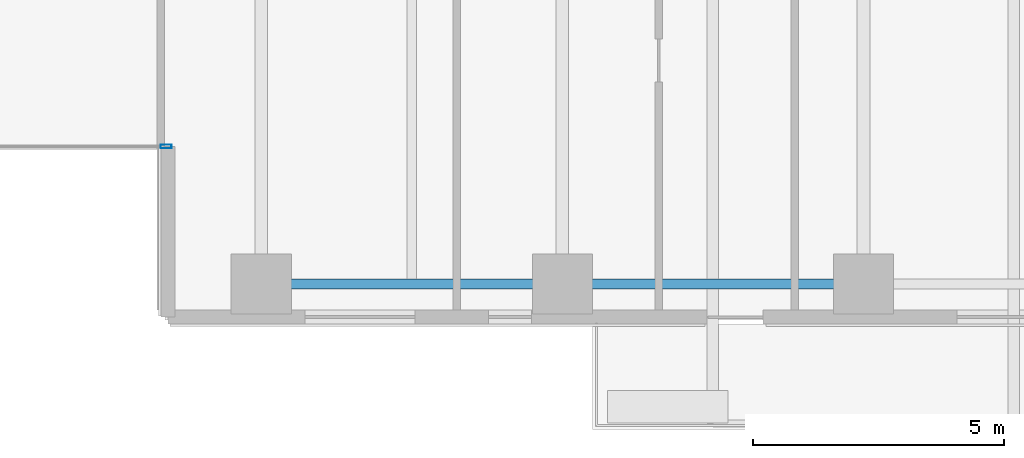
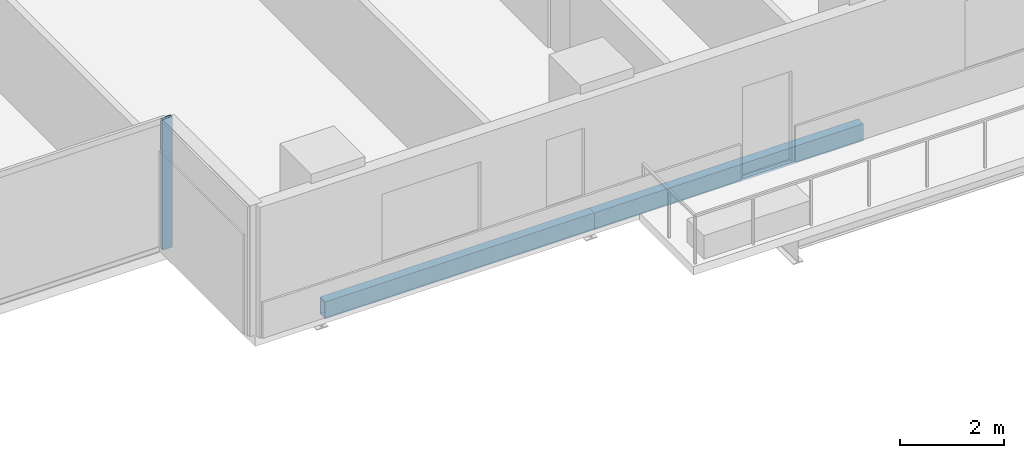
# One storey, part 4 of 26: 2 beams, 1 member, 1 element without a shape of its own.
"""IFC4 building model written with IfcOpenShell, lengths in metres."""

from ifc_helpers import new_model, si_unit, direction, frame, origin, origin_2d, place, context, subcontext, project, spatial, hollow_rectangle, extrude, material, layer, layer_set, material_profile, profile_set, type_object, element, aggregate, save


model = new_model("IFC4")

# Units and contexts
model_context = context("Model", 3, precision=1e-05, world=origin(), true_north=direction((0.0, 1.0)))
body_context = subcontext(model_context, "Body", "Model", "MODEL_VIEW")
ifc_project = project(units=[si_unit("LENGTHUNIT", "METRE"), si_unit("AREAUNIT", "SQUARE_METRE"), si_unit("VOLUMEUNIT", "CUBIC_METRE"), si_unit("PLANEANGLEUNIT", "RADIAN"), si_unit("MASSUNIT", "GRAM", prefix="KILO")], contexts=[model_context])

# Site, building, storey
site_placement = place(None, origin())
site = spatial("IfcSite", under=ifc_project, at=site_placement, CompositionType="ELEMENT")
building_placement = place(site_placement, origin())
building = spatial("IfcBuilding", under=site, at=building_placement, Name="Tanjung Sevakor Pilgrim Tower", CompositionType="ELEMENT")
storey_placement = place(building_placement, frame((0.0, 0.0, 48.840087890625)))
storey = spatial("IfcBuildingStorey", under=building, at=storey_placement, Name="L13", CompositionType="ELEMENT", Elevation=48.840087890625)

# Beams
ifc_material_1 = material(Name="Steel S355J2", Category="steel")
ifc_material_profile_1 = material_profile(ifc_material_1, hollow_rectangle(XDim=0.199951171875, YDim=0.39990234375, WallThickness=0.01611328125, at=origin_2d()))
ifc_profile_set_1 = profile_set([ifc_material_profile_1], Name="Steel S355J2")
beam_type = type_object("IfcBeamType", Name="BM-B-SP2-RHS_400x200x16", PredefinedType="SPANDREL", material=ifc_profile_set_1)
for number, where, z_axis, x_axis, name in (
    (1, (54.0, 8.39990234375, -0.420166015625), (1.0, 0.0, 0.0), (0.0, 1.0, 0.0), "L13 Spandrel MAIN S-07"),
    (2, (60.0, 8.39990234375, -0.420166015625), (1.0, 0.0, 0.0), (0.0, 1.0, 0.0), "L13 Spandrel MAIN S-09"),
):
    element("IfcBeam", number, at=place(storey_placement, frame(where, z_axis=z_axis, x_axis=x_axis)), inside=storey, type_object=beam_type, Name=name, PredefinedType="SPANDREL", context=body_context, shape_type="SweptSolid", body=[
        extrude(hollow_rectangle(XDim=0.199951171875, YDim=0.39990234375, WallThickness=0.01611328125, at=origin_2d()), origin(), (0.0, 0.0, 1.0), 6.0),
    ])

# Curtain wall, member
ifc_material_2 = material(Name="Aluminium 6063-T6 and Low-E Glass", Category="aluminium")
ifc_layer = layer(ifc_material_2, 0.179931640625)
ifc_layer_set = layer_set([ifc_layer], Name="CW-SYS-CLEFT")
curtain_wall_type = type_object("IfcCurtainWallType", Name="CW-SYS-CLEFT", PredefinedType="NOTDEFINED", material=ifc_layer_set)
curtain_wall_placement = place(storey_placement, origin())
curtain_wall = element("IfcCurtainWall", 3, at=curtain_wall_placement, inside=storey, type_object=curtain_wall_type, Name="L13 Curtain Wall CW-CLF-L13-2", PredefinedType="NOTDEFINED")
ifc_material_3 = material(Name="Aluminium 6063-T6", Category="aluminium")
ifc_material_profile_2 = material_profile(ifc_material_3, hollow_rectangle(XDim=0.074951171875, YDim=0.219970703125, WallThickness=0.0048828125, at=origin_2d()))
ifc_profile_set_2 = profile_set([ifc_material_profile_2], Name="Aluminium 6063-T6")
member_type = type_object("IfcMemberType", Name="TYPE-CWM-2", PredefinedType="MULLION", material=ifc_profile_set_2)
member_placement = place(storey_placement, frame((52.1025390625, 11.139892578125, 0.0), z_axis=(0.0, 0.0, 1.0), x_axis=(0.0, 1.0, 0.0)))
member = element("IfcMember", 4, at=member_placement, type_object=member_type, Name="CW-CLF mullion 2", PredefinedType="MULLION", context=body_context, shape_type="SweptSolid", body=[
    extrude(hollow_rectangle(XDim=0.074951171875, YDim=0.219970703125, WallThickness=0.0048828125, at=origin_2d()), origin(), (0.0, 0.0, 1.0), 3.079833984375),
])
aggregate(curtain_wall, [member])

save(model, "model.ifc")
